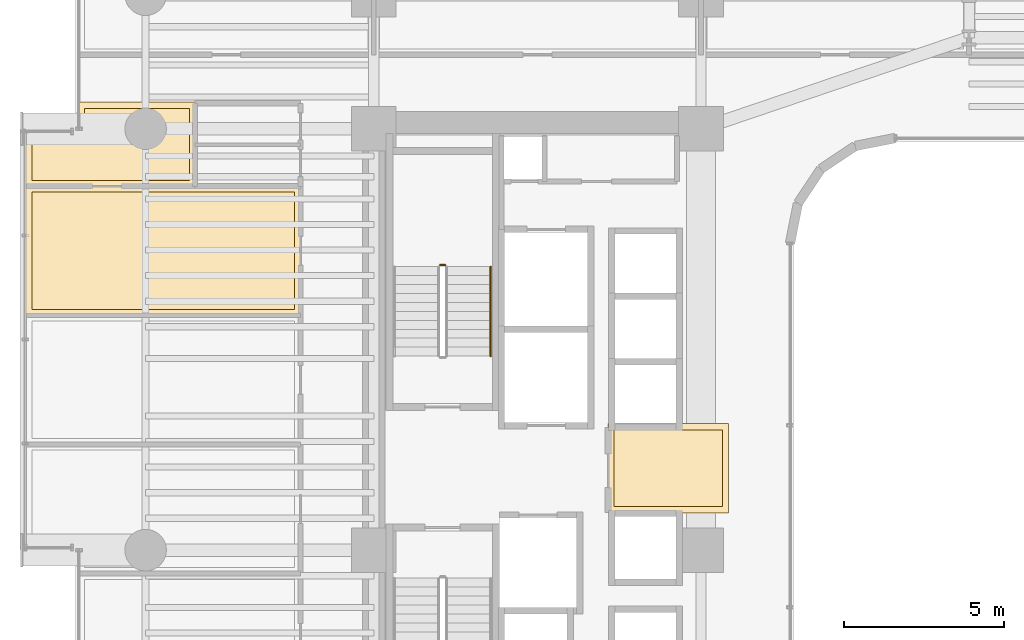
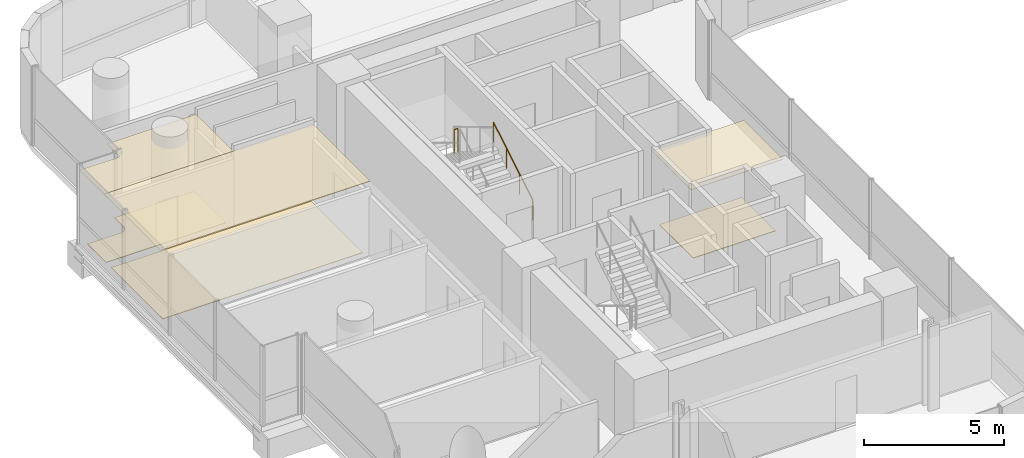
# One storey, part 36 of 38: 6 coverings, 2 railings.
"""IFC4 building model written with IfcOpenShell, lengths in metres."""

from ifc_helpers import new_model, si_unit, direction, frame, origin, origin_2d, place, context, subcontext, project, spatial, polyline, circle, outline, extrude, material, layer, layer_set, type_object, element, save


model = new_model("IFC4")

# Units and contexts
model_context = context("Model", 3, precision=1e-05, world=origin(), true_north=direction((0.0, 1.0)))
body_context = subcontext(model_context, "Body", "Model", "MODEL_VIEW")
ifc_project = project(units=[si_unit("LENGTHUNIT", "METRE"), si_unit("AREAUNIT", "SQUARE_METRE"), si_unit("VOLUMEUNIT", "CUBIC_METRE"), si_unit("PLANEANGLEUNIT", "RADIAN"), si_unit("MASSUNIT", "GRAM", prefix="KILO")], contexts=[model_context])

# Site, building, storey
site_placement = place(None, origin())
site = spatial("IfcSite", under=ifc_project, at=site_placement, CompositionType="ELEMENT")
building_placement = place(site_placement, origin())
building = spatial("IfcBuilding", under=site, at=building_placement, Name="Valdorenza Pilgrim Sanctuary Tower", CompositionType="ELEMENT")
storey_placement = place(building_placement, frame((0.0, 0.0, 37.10009765625)))
storey = spatial("IfcBuildingStorey", under=building, at=storey_placement, Name="L08", CompositionType="ELEMENT", Elevation=37.10009765625)

# Coverings
ifc_material_1 = material(Name="Micro-perforated acoustic mineral ceiling tile", Category="gypsum")
ifc_layer_1 = layer(ifc_material_1, 0.02490234375, Name="Micro-perforated acoustic mineral ceiling tile")
ifc_layer_set_1 = layer_set([ifc_layer_1], Name="Micro-perforated acoustic mineral ceiling tile")
covering_type_1 = type_object("IfcCoveringType", Name="COV-CLG-ACU", PredefinedType="CEILING", material=ifc_layer_set_1)
covering_1_placement = place(storey_placement, frame((0.0, 0.0, 3.159912109375)))
element("IfcCovering", 1, at=covering_1_placement, inside=storey, type_object=covering_type_1, Name="L08 Core A Passenger Lift Lobby Acoustic Ceiling", PredefinedType="CEILING", context=body_context, shape_type="SweptSolid", body=[
    extrude(outline(polyline([(-15.31298828125, 1.244384765625), (-15.31298828125, 1.24462890625), (-15.313720703125, 1.24609375), (-15.314208984375, 1.24755859375), (-15.314697265625, 1.2490234375), (-15.31494140625, 1.25048828125), (-15.31494140625, 1.251953125), (-15.31494140625, 1.35009765625), (-15.31494140625, 1.3515625), (-15.314697265625, 1.352783203125), (-15.314453125, 1.3544921875), (-15.31396484375, 1.355712890625), (-15.313232421875, 1.357177734375), (-15.3125, 1.3583984375), (-15.3115234375, 1.359619140625), (-15.310546875, 1.360595703125), (-15.3095703125, 1.361572265625), (-15.308349609375, 1.362548828125), (-15.30712890625, 1.36328125), (-15.3056640625, 1.364013671875), (-15.304443359375, 1.364501953125), (-15.302978515625, 1.36474609375), (-15.301513671875, 1.364990234375), (-15.300048828125, 1.364990234375), (-15.10205078125, 1.364990234375), (-15.1005859375, 1.364990234375), (-15.09912109375, 1.36474609375), (-15.097412109375, 1.3642578125), (-15.09619140625, 1.36376953125), (-15.0947265625, 1.363037109375), (-15.094482421875, 1.363037109375), (-13.185546875, 1.363037109375), (-13.185302734375, 1.363037109375), (-13.183837890625, 1.36376953125), (-13.1826171875, 1.3642578125), (-13.180908203125, 1.36474609375), (-13.179443359375, 1.364990234375), (-13.177978515625, 1.364990234375), (-11.550048828125, 1.364990234375), (-11.548583984375, 1.364990234375), (-11.547119140625, 1.36474609375), (-11.545654296875, 1.364501953125), (-11.544189453125, 1.364013671875), (-11.54296875, 1.36328125), (-11.541748046875, 1.362548828125), (-11.54052734375, 1.361572265625), (-11.539306640625, 1.360595703125), (-11.538330078125, 1.359619140625), (-11.53759765625, 1.3583984375), (-11.536865234375, 1.357177734375), (-11.5361328125, 1.355712890625), (-11.53564453125, 1.3544921875), (-11.535400390625, 1.352783203125), (-11.53515625, 1.3515625), (-11.534912109375, 1.35009765625), (-11.534912109375, -1.419921875), (-11.53515625, -1.42138671875), (-11.535400390625, -1.4228515625), (-11.53564453125, -1.42431640625), (-11.5361328125, -1.42578125), (-11.536865234375, -1.427001953125), (-11.53759765625, -1.42822265625), (-11.538330078125, -1.429443359375), (-11.539306640625, -1.4306640625), (-11.54052734375, -1.431640625), (-11.541748046875, -1.4326171875), (-11.54296875, -1.43310546875), (-11.544189453125, -1.433837890625), (-11.545654296875, -1.434326171875), (-11.547119140625, -1.434814453125), (-11.548583984375, -1.434814453125), (-11.550048828125, -1.43505859375), (-15.298095703125, -1.43505859375), (-15.299560546875, -1.434814453125), (-15.30078125, -1.434814453125), (-15.302490234375, -1.434326171875), (-15.3037109375, -1.433837890625), (-15.30517578125, -1.43310546875), (-15.306396484375, -1.4326171875), (-15.3076171875, -1.431640625), (-15.30859375, -1.4306640625), (-15.3095703125, -1.429443359375), (-15.310546875, -1.42822265625), (-15.311279296875, -1.427001953125), (-15.31201171875, -1.42578125), (-15.3125, -1.42431640625), (-15.312744140625, -1.4228515625), (-15.31298828125, -1.42138671875), (-15.31298828125, -1.419921875), (-15.31298828125, 1.244384765625)])), origin(), (0.0, 0.0, 1.0), 0.02490234375),
])
covering_2_placement = place(storey_placement, frame((0.0, 0.0, 3.159912109375)))
element("IfcCovering", 2, at=covering_2_placement, inside=storey, type_object=covering_type_1, Name="L08 Pilgrim Scholar Office L08-WN Acoustic Ceiling", PredefinedType="CEILING", context=body_context, shape_type="SweptSolid", body=[
    extrude(outline(polyline([(-28.237060546875, 11.39453125), (-28.237060546875, 10.103759765625), (-28.23681640625, 10.10302734375), (-28.23681640625, 10.1015625), (-28.23681640625, 10.10009765625), (-28.23681640625, 10.098388671875), (-28.237060546875, 10.09814453125), (-28.237060546875, 8.800048828125), (-28.237060546875, 8.798583984375), (-28.2373046875, 8.797119140625), (-28.237548828125, 8.795654296875), (-28.238037109375, 8.794189453125), (-28.23876953125, 8.79296875), (-28.239501953125, 8.791748046875), (-28.240478515625, 8.79052734375), (-28.241455078125, 8.789306640625), (-28.242431640625, 8.788330078125), (-28.24365234375, 8.78759765625), (-28.244873046875, 8.786865234375), (-28.246337890625, 8.7861328125), (-28.24755859375, 8.78564453125), (-28.2490234375, 8.785400390625), (-28.25048828125, 8.78515625), (-28.251953125, 8.784912109375), (-33.5400390625, 8.784912109375), (-33.54150390625, 8.78515625), (-33.54296875, 8.785400390625), (-33.54443359375, 8.78564453125), (-33.545654296875, 8.7861328125), (-33.547119140625, 8.786865234375), (-33.54833984375, 8.78759765625), (-33.549560546875, 8.788330078125), (-33.550537109375, 8.789306640625), (-33.551513671875, 8.79052734375), (-33.552490234375, 8.791748046875), (-33.55322265625, 8.79296875), (-33.553955078125, 8.794189453125), (-33.554443359375, 8.795654296875), (-33.5546875, 8.797119140625), (-33.554931640625, 8.798583984375), (-33.554931640625, 8.800048828125), (-33.554931640625, 10.489990234375), (-33.554931640625, 10.491455078125), (-33.5546875, 10.492919921875), (-33.554443359375, 10.494384765625), (-33.553955078125, 10.49560546875), (-33.55322265625, 10.4970703125), (-33.552490234375, 10.498291015625), (-33.551513671875, 10.49951171875), (-33.550537109375, 10.50048828125), (-33.549560546875, 10.501708984375), (-33.54833984375, 10.50244140625), (-33.547119140625, 10.503173828125), (-33.545654296875, 10.50390625), (-33.54443359375, 10.50439453125), (-33.54296875, 10.504638671875), (-33.54150390625, 10.5048828125), (-33.5400390625, 10.5048828125), (-32.00048828125, 10.5048828125), (-31.99072265625, 10.505615234375), (-31.9814453125, 10.5068359375), (-31.972412109375, 10.509033203125), (-31.963623046875, 10.51220703125), (-31.955078125, 10.51611328125), (-31.947265625, 10.52099609375), (-31.939697265625, 10.526611328125), (-31.932861328125, 10.53271484375), (-31.926513671875, 10.539794921875), (-31.9208984375, 10.547119140625), (-31.916259765625, 10.55517578125), (-31.912109375, 10.563720703125), (-31.9091796875, 10.572509765625), (-31.90673828125, 10.58154296875), (-31.905517578125, 10.5908203125), (-31.905029296875, 10.600341796875), (-31.905029296875, 11.419921875), (-31.90478515625, 11.42138671875), (-31.90478515625, 11.4228515625), (-31.904296875, 11.42431640625), (-31.90380859375, 11.42578125), (-31.9033203125, 11.427001953125), (-31.902587890625, 11.42822265625), (-31.901611328125, 11.429443359375), (-31.900634765625, 11.4306640625), (-31.8994140625, 11.431640625), (-31.898193359375, 11.4326171875), (-31.897216796875, 11.43310546875), (-31.895751953125, 11.433837890625), (-31.894287109375, 11.434326171875), (-31.892822265625, 11.434814453125), (-31.8916015625, 11.434814453125), (-31.889892578125, 11.43505859375), (-28.25, 11.43505859375), (-28.24853515625, 11.434814453125), (-28.2470703125, 11.434814453125), (-28.24560546875, 11.434326171875), (-28.244384765625, 11.433837890625), (-28.242919921875, 11.43310546875), (-28.24169921875, 11.4326171875), (-28.240478515625, 11.431640625), (-28.239501953125, 11.4306640625), (-28.23828125, 11.429443359375), (-28.237548828125, 11.42822265625), (-28.23681640625, 11.427001953125), (-28.236083984375, 11.42578125), (-28.235595703125, 11.42431640625), (-28.2353515625, 11.4228515625), (-28.235107421875, 11.42138671875), (-28.235107421875, 11.419921875), (-28.235107421875, 11.402099609375), (-28.235107421875, 11.400390625), (-28.2353515625, 11.39892578125), (-28.235595703125, 11.3974609375), (-28.236083984375, 11.39599609375), (-28.23681640625, 11.394775390625), (-28.237060546875, 11.39453125)])), origin(), (0.0, 0.0, 1.0), 0.02490234375),
])
covering_3_placement = place(storey_placement, frame((0.0, 0.0, 3.159912109375)))
element("IfcCovering", 3, at=covering_3_placement, inside=storey, type_object=covering_type_1, Name="L08 Pilgrim Scholar Office L08-W5 Acoustic Ceiling", PredefinedType="CEILING", context=body_context, shape_type="SweptSolid", body=[
    extrude(outline(polyline([(-28.253662109375, 8.81298828125), (-28.253173828125, 8.81298828125), (-28.25146484375, 8.813232421875), (-28.25, 8.813232421875), (-28.24853515625, 8.81298828125), (-28.248291015625, 8.81298828125), (-24.949951171875, 8.81298828125), (-24.948486328125, 8.81298828125), (-24.947021484375, 8.812744140625), (-24.945556640625, 8.8125), (-24.9443359375, 8.81201171875), (-24.94287109375, 8.811279296875), (-24.941650390625, 8.810546875), (-24.9404296875, 8.8095703125), (-24.939453125, 8.80859375), (-24.9384765625, 8.8076171875), (-24.9375, 8.806396484375), (-24.936767578125, 8.80517578125), (-24.93603515625, 8.8037109375), (-24.935546875, 8.802490234375), (-24.935302734375, 8.80078125), (-24.93505859375, 8.799560546875), (-24.93505859375, 8.798095703125), (-24.93505859375, 4.758056640625), (-24.93505859375, 4.756591796875), (-24.935302734375, 4.755126953125), (-24.935546875, 4.753662109375), (-24.93603515625, 4.752197265625), (-24.936767578125, 4.7509765625), (-24.9375, 4.749755859375), (-24.9384765625, 4.74853515625), (-24.939453125, 4.747314453125), (-24.9404296875, 4.746337890625), (-24.941650390625, 4.74560546875), (-24.94287109375, 4.744873046875), (-24.9443359375, 4.744140625), (-24.945556640625, 4.74365234375), (-24.947021484375, 4.743408203125), (-24.948486328125, 4.7431640625), (-24.949951171875, 4.742919921875), (-33.5400390625, 4.742919921875), (-33.54150390625, 4.7431640625), (-33.54296875, 4.743408203125), (-33.54443359375, 4.74365234375), (-33.545654296875, 4.744140625), (-33.547119140625, 4.744873046875), (-33.54833984375, 4.74560546875), (-33.549560546875, 4.746337890625), (-33.550537109375, 4.747314453125), (-33.551513671875, 4.74853515625), (-33.552490234375, 4.749755859375), (-33.55322265625, 4.7509765625), (-33.553955078125, 4.752197265625), (-33.554443359375, 4.753662109375), (-33.5546875, 4.755126953125), (-33.554931640625, 4.756591796875), (-33.554931640625, 4.758056640625), (-33.554931640625, 8.798095703125), (-33.554931640625, 8.799560546875), (-33.5546875, 8.80078125), (-33.554443359375, 8.802490234375), (-33.553955078125, 8.8037109375), (-33.55322265625, 8.80517578125), (-33.552490234375, 8.806396484375), (-33.551513671875, 8.8076171875), (-33.550537109375, 8.80859375), (-33.549560546875, 8.8095703125), (-33.54833984375, 8.810546875), (-33.547119140625, 8.811279296875), (-33.545654296875, 8.81201171875), (-33.54443359375, 8.8125), (-33.54296875, 8.812744140625), (-33.54150390625, 8.81298828125), (-33.5400390625, 8.81298828125), (-28.253662109375, 8.81298828125)])), origin(), (0.0, 0.0, 1.0), 0.02490234375),
])
ifc_material_2 = material(Name="Honed travertine stone flooring", Category="masonry")
ifc_layer_2 = layer(ifc_material_2, 0.030029296875, Name="Honed travertine stone flooring")
ifc_layer_set_2 = layer_set([ifc_layer_2], Name="Honed travertine stone flooring")
covering_type_2 = type_object("IfcCoveringType", Name="COV-FLR-TRV", PredefinedType="FLOORING", material=ifc_layer_set_2)
covering_4_placement = place(storey_placement, origin())
element("IfcCovering", 4, at=covering_4_placement, inside=storey, type_object=covering_type_2, Name="L08 Core A Passenger Lift Lobby Flooring", PredefinedType="FLOORING", context=body_context, shape_type="SweptSolid", body=[
    extrude(outline(polyline([(-15.117919921875, 1.169189453125), (-15.10888671875, 1.168212890625), (-15.10888671875, 1.168212890625), (-15.10009765625, 1.16796875), (-13.179931640625, 1.16796875), (-13.1796875, 1.16796875), (-11.72998046875, 1.169921875), (-11.72998046875, -1.239990234375), (-15.117919921875, -1.239990234375), (-15.117919921875, 1.169189453125)])), origin(), (0.0, 0.0, 1.0), 0.02490234375),
])
covering_5_placement = place(storey_placement, origin())
element("IfcCovering", 5, at=covering_5_placement, inside=storey, type_object=covering_type_2, Name="L08 Pilgrim Scholar Office L08-WN Flooring", PredefinedType="FLOORING", context=body_context, shape_type="SweptSolid", body=[
    extrude(outline(polyline([(-28.431884765625, 11.239990234375), (-28.431884765625, 10.10205078125), (-28.431884765625, 10.10107421875), (-28.431884765625, 10.100341796875), (-28.431884765625, 10.10009765625), (-28.431884765625, 8.97998046875), (-33.360107421875, 8.97998046875), (-33.360107421875, 10.31005859375), (-32.0, 10.31005859375), (-31.9912109375, 10.310302734375), (-31.98046875, 10.310791015625), (-31.962890625, 10.3125), (-31.9521484375, 10.314208984375), (-31.934814453125, 10.3173828125), (-31.92431640625, 10.320068359375), (-31.907470703125, 10.3251953125), (-31.897216796875, 10.328857421875), (-31.880859375, 10.335693359375), (-31.87109375, 10.34033203125), (-31.855712890625, 10.3486328125), (-31.84619140625, 10.35400390625), (-31.831787109375, 10.364013671875), (-31.822998046875, 10.370361328125), (-31.809326171875, 10.381591796875), (-31.80126953125, 10.388916015625), (-31.788818359375, 10.4013671875), (-31.781494140625, 10.4091796875), (-31.7705078125, 10.423095703125), (-31.763916015625, 10.431640625), (-31.754150390625, 10.4462890625), (-31.74853515625, 10.45556640625), (-31.740234375, 10.47119140625), (-31.735595703125, 10.48095703125), (-31.72900390625, 10.497314453125), (-31.725341796875, 10.50732421875), (-31.72021484375, 10.5244140625), (-31.717529296875, 10.534912109375), (-31.714111328125, 10.552001953125), (-31.71240234375, 10.562744140625), (-31.710693359375, 10.580322265625), (-31.710205078125, 10.59130859375), (-31.7099609375, 10.60009765625), (-31.7099609375, 11.239990234375), (-28.431884765625, 11.239990234375)])), origin(), (0.0, 0.0, 1.0), 0.02490234375),
])
covering_6_placement = place(storey_placement, origin())
element("IfcCovering", 6, at=covering_6_placement, inside=storey, type_object=covering_type_2, Name="L08 Pilgrim Scholar Office L08-W5 Flooring", PredefinedType="FLOORING", context=body_context, shape_type="SweptSolid", body=[
    extrude(outline(polyline([(-28.250244140625, 8.617919921875), (-28.25, 8.617919921875), (-25.1298828125, 8.617919921875), (-25.1298828125, 4.93798828125), (-33.360107421875, 4.93798828125), (-33.360107421875, 8.617919921875), (-28.251953125, 8.617919921875), (-28.2509765625, 8.617919921875), (-28.250244140625, 8.617919921875)])), origin(), (0.0, 0.0, 1.0), 0.02490234375),
])

# Railings
ifc_material_3 = material(Name="Stainless steel Grade 316", Category="steel")
railing_type_1 = type_object("IfcRailingType", Name="RLG-GRD-1120", PredefinedType="GUARDRAIL", material=ifc_material_3)
railing_1_placement = place(storey_placement, frame((-20.419921875, 6.330078125, 1.849853515625)))
element("IfcRailing", 7, at=railing_1_placement, inside=storey, type_object=railing_type_1, Name="L08 ST-A1 stair guard 2", PredefinedType="GUARDRAIL", context=body_context, shape_type="SweptSolid", body=[
    extrude(circle(Radius=0.02392578125, at=origin_2d()), frame((0.0, 0.0, 1.076171875), z_axis=(-1.0, 0.0, 0.0), x_axis=(0.0, -1.0, 0.0)), (0.0, 0.0, 1.0), 0.150146484375),
    extrude(circle(Radius=0.02099609375, at=origin_2d()), origin(), (0.0, 0.0, 1.0), 1.052001953125),
    extrude(circle(Radius=0.02099609375, at=origin_2d()), frame((-0.150146484375, 0.0, 0.0)), (0.0, 0.0, 1.0), 1.052001953125),
])
ifc_material_4 = material(Name="Brushed stainless steel Grade 316", Category="steel")
railing_type_2 = type_object("IfcRailingType", Name="RLG-HND-920", PredefinedType="HANDRAIL", material=ifc_material_4)
railing_2_placement = place(storey_placement, frame((-18.989990234375, 3.47998046875, 0.16796875)))
element("IfcRailing", 8, at=railing_2_placement, inside=storey, type_object=railing_type_2, Name="L08 ST-A1 stair handrail 1", PredefinedType="HANDRAIL", context=body_context, shape_type="SweptSolid", body=[
    extrude(circle(Radius=0.02392578125, at=origin_2d()), frame((0.0, 0.0, 0.8759765625), z_axis=(0.0, 0.857242210791, 0.514913383045), x_axis=(-1.0, 0.0, 0.0)), (0.0, 0.0, 1.0), 3.266357421875),
    extrude(circle(Radius=0.02099609375, at=origin_2d()), origin(), (0.0, 0.0, 1.0), 0.851806640625),
    extrude(circle(Radius=0.02099609375, at=origin_2d()), frame((0.0, 0.933349609375, 0.560546875)), (0.0, 0.0, 1.0), 0.851806640625),
    extrude(circle(Radius=0.02099609375, at=origin_2d()), frame((0.0, 1.86669921875, 1.121337890625)), (0.0, 0.0, 1.0), 0.851806640625),
    extrude(circle(Radius=0.02099609375, at=origin_2d()), frame((0.0, 2.800048828125, 1.681884765625)), (0.0, 0.0, 1.0), 0.851806640625),
])

save(model, "model.ifc")
